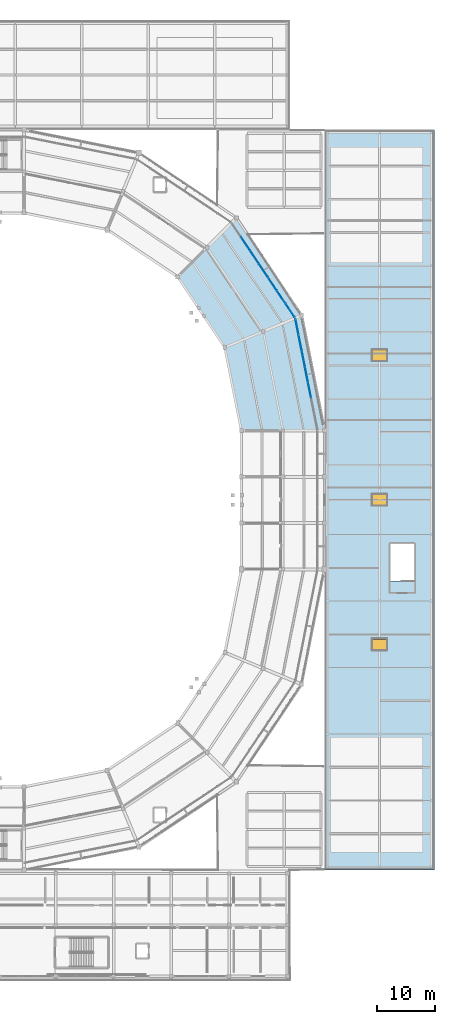
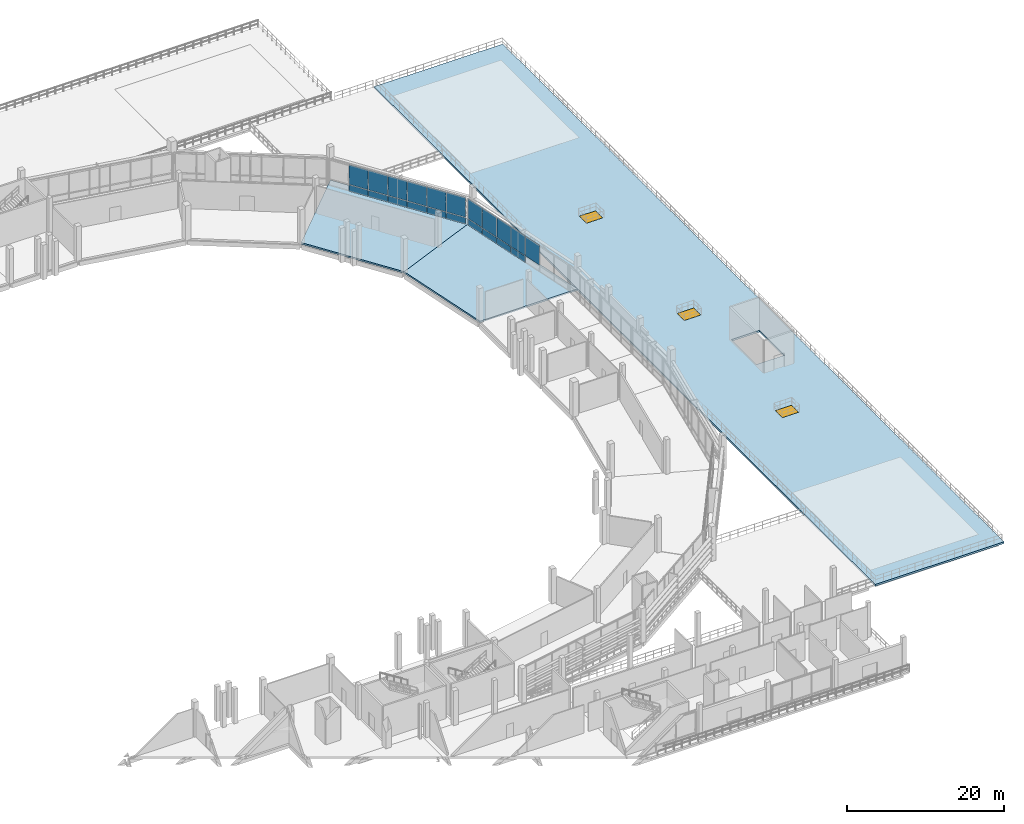
# One storey, part 65 of 111: 21 plates, 3 slabs, 3 windows, 3 openings, 2 elements without a shape of their own.
"""IFC4 building model written with IfcOpenShell, lengths in metres."""

from ifc_helpers import new_model, si_unit, direction, frame, origin, origin_2d, place, context, subcontext, project, spatial, polyline, rectangle, outline, extrude, material, layer, layer_set, type_object, element, fill, aggregate, save


model = new_model("IFC4")

# Units and contexts
model_context = context("Model", 3, precision=1e-05, world=origin(), true_north=direction((0.0, 1.0)))
body_context = subcontext(model_context, "Body", "Model", "MODEL_VIEW")
ifc_project = project(units=[si_unit("LENGTHUNIT", "METRE"), si_unit("AREAUNIT", "SQUARE_METRE"), si_unit("VOLUMEUNIT", "CUBIC_METRE"), si_unit("PLANEANGLEUNIT", "RADIAN"), si_unit("MASSUNIT", "GRAM", prefix="KILO")], contexts=[model_context])

# Site, building, storey
site_placement = place(None, origin())
site = spatial("IfcSite", under=ifc_project, at=site_placement, CompositionType="ELEMENT")
building_placement = place(site_placement, origin())
building = spatial("IfcBuilding", under=site, at=building_placement, Name="Candeia Ridge Stadium", CompositionType="ELEMENT")
storey_placement = place(building_placement, frame((0.0, 0.0, 16.199951171875)))
storey = spatial("IfcBuildingStorey", under=building, at=storey_placement, Name="L03", CompositionType="ELEMENT", Elevation=16.199951171875)

# Slabs
ifc_material_1 = material(Name="Concrete C40/50", Category="concrete")
ifc_layer_1 = layer(ifc_material_1, 0.25, Name="Concrete C40/50", Category="concrete")
ifc_layer_set_1 = layer_set([ifc_layer_1], Name="Concrete C40/50")
slab_type_1 = type_object("IfcSlabType", Name="Hospitality & Museum Slab 250", PredefinedType="FLOOR", material=ifc_layer_set_1)
slab_1_placement = place(storey_placement, frame((0.0, 0.0, -0.25)))
element("IfcSlab", 1, at=slab_1_placement, inside=storey, type_object=slab_type_1, Name="Bowl concourse sector slab L03 bay 33 SLB-L03-0141", PredefinedType="FLOOR", context=body_context, shape_type="SweptSolid", body=[
    extrude(outline(polyline([(175.73779296875, 109.388916015625), (189.041748046875, 114.8994140625), (193.0, 95.0), (178.60009765625, 95.0), (175.73779296875, 109.388916015625)])), origin(), (0.0, 0.0, 1.0), 0.25),
])
slab_2_placement = place(storey_placement, frame((0.0, 0.0, -0.25)))
element("IfcSlab", 2, at=slab_2_placement, inside=storey, type_object=slab_type_1, Name="Bowl concourse sector slab L03 bay 34 SLB-L03-0142", PredefinedType="FLOOR", context=body_context, shape_type="SweptSolid", body=[
    extrude(outline(polyline([(167.587158203125, 121.587158203125), (177.76953125, 131.76953125), (189.041748046875, 114.8994140625), (175.73779296875, 109.388916015625), (167.587158203125, 121.587158203125)])), origin(), (0.0, 0.0, 1.0), 0.25),
])

# Curtain wall, plates
ifc_material_2 = material(Name="Aluminium Anodized Warm Bronze", Category="aluminium")
curtain_wall_type = type_object("IfcCurtainWallType", Name="Concourse Recessed Unitised Curtain Wall", PredefinedType="NOTDEFINED", material=ifc_material_2)
curtain_wall_1_placement = place(storey_placement, origin())
curtain_wall_1 = element("IfcCurtainWall", 3, at=curtain_wall_1_placement, inside=storey, type_object=curtain_wall_type, Name="Unitised curtain wall CW-BWL-L03-33", PredefinedType="NOTDEFINED")
ifc_material_3 = material(Name="Aluminium Insulated Spandrel", Category="aluminium")
ifc_layer_2 = layer(ifc_material_3, 0.06494140625, Name="Aluminium Insulated Spandrel", Category="aluminium")
ifc_layer_set_2 = layer_set([ifc_layer_2], Name="Aluminium Insulated Spandrel")
plate_type_1 = type_object("IfcPlateType", Name="Insulated Bronze Spandrel Panel SP1", PredefinedType="CURTAIN_PANEL", material=ifc_layer_set_2)
plate_1_placement = place(storey_placement, frame((187.060791015625, 115.745849609375, 0.0400390625), z_axis=(0.0, 0.0, 1.0), x_axis=(-0.555571447533, 0.831468800789, 0.0)))
plate_1 = element("IfcPlate", 4, at=plate_1_placement, type_object=plate_type_1, Name="Curtain wall spandrel panel CW-BWL-L03-33-SP0", PredefinedType="CURTAIN_PANEL", context=body_context, shape_type="SweptSolid", body=[
    extrude(rectangle(XDim=2.710205078125, YDim=0.06494140625, at=origin_2d()), origin(), (0.0, 0.0, 1.0), 0.97119140625),
])
plate_2_placement = place(storey_placement, frame((185.51611328125, 118.057373046875, 0.0400390625), z_axis=(0.0, 0.0, 1.0), x_axis=(-0.555571447533, 0.831468800789, 0.0)))
plate_2 = element("IfcPlate", 5, at=plate_2_placement, type_object=plate_type_1, Name="Curtain wall spandrel panel CW-BWL-L03-33-SP1", PredefinedType="CURTAIN_PANEL", context=body_context, shape_type="SweptSolid", body=[
    extrude(rectangle(XDim=2.710205078125, YDim=0.06494140625, at=origin_2d()), origin(), (0.0, 0.0, 1.0), 0.97119140625),
])
plate_3_placement = place(storey_placement, frame((183.9716796875, 120.369140625, 0.0400390625), z_axis=(0.0, 0.0, 1.0), x_axis=(-0.555571447533, 0.831468800789, 0.0)))
plate_3 = element("IfcPlate", 6, at=plate_3_placement, type_object=plate_type_1, Name="Curtain wall spandrel panel CW-BWL-L03-33-SP2", PredefinedType="CURTAIN_PANEL", context=body_context, shape_type="SweptSolid", body=[
    extrude(rectangle(XDim=2.710205078125, YDim=0.06494140625, at=origin_2d()), origin(), (0.0, 0.0, 1.0), 0.97119140625),
])
plate_4_placement = place(storey_placement, frame((182.427001953125, 122.6806640625, 0.0400390625), z_axis=(0.0, 0.0, 1.0), x_axis=(-0.555571447533, 0.831468800789, 0.0)))
plate_4 = element("IfcPlate", 7, at=plate_4_placement, type_object=plate_type_1, Name="Curtain wall spandrel panel CW-BWL-L03-33-SP3", PredefinedType="CURTAIN_PANEL", context=body_context, shape_type="SweptSolid", body=[
    extrude(rectangle(XDim=2.710205078125, YDim=0.06494140625, at=origin_2d()), origin(), (0.0, 0.0, 1.0), 0.97119140625),
])
plate_5_placement = place(storey_placement, frame((180.882568359375, 124.9921875, 0.0400390625), z_axis=(0.0, 0.0, 1.0), x_axis=(-0.555571447533, 0.831468800789, 0.0)))
plate_5 = element("IfcPlate", 8, at=plate_5_placement, type_object=plate_type_1, Name="Curtain wall spandrel panel CW-BWL-L03-33-SP4", PredefinedType="CURTAIN_PANEL", context=body_context, shape_type="SweptSolid", body=[
    extrude(rectangle(XDim=2.710205078125, YDim=0.06494140625, at=origin_2d()), origin(), (0.0, 0.0, 1.0), 0.97119140625),
])
plate_6_placement = place(storey_placement, frame((179.337890625, 127.303955078125, 0.0400390625), z_axis=(0.0, 0.0, 1.0), x_axis=(-0.555571447533, 0.831468800789, 0.0)))
plate_6 = element("IfcPlate", 9, at=plate_6_placement, type_object=plate_type_1, Name="Curtain wall spandrel panel CW-BWL-L03-33-SP5", PredefinedType="CURTAIN_PANEL", context=body_context, shape_type="SweptSolid", body=[
    extrude(rectangle(XDim=2.710205078125, YDim=0.06494140625, at=origin_2d()), origin(), (0.0, 0.0, 1.0), 0.97119140625),
])

curtain_wall_2_placement = place(storey_placement, origin())
curtain_wall_2 = element("IfcCurtainWall", 10, at=curtain_wall_2_placement, inside=storey, type_object=curtain_wall_type, Name="Unitised curtain wall CW-BWL-L03-32", PredefinedType="NOTDEFINED")
ifc_layer_3 = layer(ifc_material_3, 0.06494140625, Name="Aluminium Insulated Spandrel", Category="aluminium")
ifc_layer_set_3 = layer_set([ifc_layer_3], Name="Aluminium Insulated Spandrel")
plate_type_2 = type_object("IfcPlateType", Name="Insulated Bronze Spandrel Panel SP5", PredefinedType="CURTAIN_PANEL", material=ifc_layer_set_3)
plate_7_placement = place(storey_placement, frame((189.86669921875, 104.72021484375, 0.0400390625), z_axis=(0.0, 0.0, 1.0), x_axis=(-0.195090320544, 0.980785280696, 0.0)))
plate_7 = element("IfcPlate", 11, at=plate_7_placement, type_object=plate_type_2, Name="Curtain wall spandrel panel CW-BWL-L03-32-SP3", PredefinedType="CURTAIN_PANEL", context=body_context, shape_type="SweptSolid", body=[
    extrude(rectangle(XDim=2.710205078125, YDim=0.06494140625, at=origin_2d()), origin(), (0.0, 0.0, 1.0), 0.97119140625),
])
plate_8_placement = place(storey_placement, frame((189.32421875, 107.447021484375, 0.0400390625), z_axis=(0.0, 0.0, 1.0), x_axis=(-0.195090320544, 0.980785280696, 0.0)))
plate_8 = element("IfcPlate", 12, at=plate_8_placement, type_object=plate_type_2, Name="Curtain wall spandrel panel CW-BWL-L03-32-SP4", PredefinedType="CURTAIN_PANEL", context=body_context, shape_type="SweptSolid", body=[
    extrude(rectangle(XDim=2.710205078125, YDim=0.06494140625, at=origin_2d()), origin(), (0.0, 0.0, 1.0), 0.97119140625),
])
plate_9_placement = place(storey_placement, frame((188.78173828125, 110.173583984375, 0.0400390625), z_axis=(0.0, 0.0, 1.0), x_axis=(-0.195090320544, 0.980785280696, 0.0)))
plate_9 = element("IfcPlate", 13, at=plate_9_placement, type_object=plate_type_2, Name="Curtain wall spandrel panel CW-BWL-L03-32-SP5", PredefinedType="CURTAIN_PANEL", context=body_context, shape_type="SweptSolid", body=[
    extrude(rectangle(XDim=2.710205078125, YDim=0.06494140625, at=origin_2d()), origin(), (0.0, 0.0, 1.0), 0.97119140625),
])
plate_10_placement = place(storey_placement, frame((188.239501953125, 112.900390625, 0.0400390625), z_axis=(0.0, 0.0, 1.0), x_axis=(-0.195090320544, 0.980785280696, 0.0)))
plate_10 = element("IfcPlate", 14, at=plate_10_placement, type_object=plate_type_2, Name="Curtain wall spandrel panel CW-BWL-L03-32-SP6", PredefinedType="CURTAIN_PANEL", context=body_context, shape_type="SweptSolid", body=[
    extrude(rectangle(XDim=2.710205078125, YDim=0.06494140625, at=origin_2d()), origin(), (0.0, 0.0, 1.0), 0.97119140625),
])

# Slab, openings, windows
ifc_layer_4 = layer(ifc_material_1, 0.280029296875, Name="Concrete C40/50", Category="concrete")
ifc_layer_set_4 = layer_set([ifc_layer_4], Name="Concrete C40/50")
slab_type_2 = type_object("IfcSlabType", Name="Planted Roof Garden Deck 280", PredefinedType="ROOF", material=ifc_layer_set_4)
slab_3_placement = place(storey_placement, frame((0.0, 0.0, -0.280029296875)))
slab_3 = element("IfcSlab", 15, at=slab_3_placement, inside=storey, type_object=slab_type_2, Name="Planted roof garden slab SLB-L03-0290", PredefinedType="ROOF", context=body_context, shape_type="SweptSolid", body=[
    extrude(outline(polyline([(193.0, 19.0), (193.0, 147.0), (212.0, 147.0), (212.0, 19.0), (193.0, 19.0)]), holes=[polyline([(208.5, 69.00048828125), (208.5, 75.39990234375), (204.35009765625, 75.39990234375), (204.35009765625, 69.00048828125), (208.5, 69.00048828125)])]), origin(), (0.0, 0.0, 1.0), 0.280029296875),
])
opening_1_placement = place(slab_3_placement, frame((202.5, 58.0, -0.010009765625)))
opening_1 = element("IfcOpeningElement", 16, at=opening_1_placement, cuts=slab_3, Name="Opening SK1", PredefinedType="OPENING", context=body_context, shape_type="SweptSolid", body=[
    extrude(rectangle(XDim=2.39990234375, YDim=1.800048828125, at=origin_2d()), origin(), (0.0, 0.0, 1.0), 0.300048828125),
])
opening_2_placement = place(slab_3_placement, frame((202.5, 83.0, -0.010009765625)))
opening_2 = element("IfcOpeningElement", 17, at=opening_2_placement, cuts=slab_3, Name="Opening SK1", PredefinedType="OPENING", context=body_context, shape_type="SweptSolid", body=[
    extrude(rectangle(XDim=2.39990234375, YDim=1.800048828125, at=origin_2d()), origin(), (0.0, 0.0, 1.0), 0.300048828125),
])
opening_3_placement = place(slab_3_placement, frame((202.5, 108.0, -0.010009765625)))
opening_3 = element("IfcOpeningElement", 18, at=opening_3_placement, cuts=slab_3, Name="Opening SK1", PredefinedType="OPENING", context=body_context, shape_type="SweptSolid", body=[
    extrude(rectangle(XDim=2.39990234375, YDim=1.800048828125, at=origin_2d()), origin(), (0.0, 0.0, 1.0), 0.300048828125),
])
ifc_material_4 = material(Name="Tempered Solar-Control Double Glazing", Category="glass")
window_type = type_object("IfcWindowType", Name="Warm-Up Hall Roof Skylight 2400x1800", PartitioningType="SINGLE_PANEL", PredefinedType="SKYLIGHT", material=ifc_material_4)
window_1_placement = place(slab_3_placement, frame((202.5, 58.0, 0.22998046875)))
window_1 = element("IfcWindow", 19, at=window_1_placement, inside=storey, type_object=window_type, Name="Roof daylight skylight SKY-01", OverallHeight=1.800048828125, OverallWidth=2.39990234375, PartitioningType="SINGLE_PANEL", PredefinedType="SKYLIGHT", context=body_context, shape_type="SweptSolid", body=[
    extrude(rectangle(XDim=2.39990234375, YDim=1.800048828125, at=origin_2d()), origin(), (0.0, 0.0, 1.0), 0.050048828125),
])
fill(opening_1, window_1)
window_2_placement = place(slab_3_placement, frame((202.5, 83.0, 0.22998046875)))
window_2 = element("IfcWindow", 20, at=window_2_placement, inside=storey, type_object=window_type, Name="Roof daylight skylight SKY-02", OverallHeight=1.800048828125, OverallWidth=2.39990234375, PartitioningType="SINGLE_PANEL", PredefinedType="SKYLIGHT", context=body_context, shape_type="SweptSolid", body=[
    extrude(rectangle(XDim=2.39990234375, YDim=1.800048828125, at=origin_2d()), origin(), (0.0, 0.0, 1.0), 0.050048828125),
])
fill(opening_2, window_2)
window_3_placement = place(slab_3_placement, frame((202.5, 108.0, 0.22998046875)))
window_3 = element("IfcWindow", 21, at=window_3_placement, inside=storey, type_object=window_type, Name="Roof daylight skylight SKY-03", OverallHeight=1.800048828125, OverallWidth=2.39990234375, PartitioningType="SINGLE_PANEL", PredefinedType="SKYLIGHT", context=body_context, shape_type="SweptSolid", body=[
    extrude(rectangle(XDim=2.39990234375, YDim=1.800048828125, at=origin_2d()), origin(), (0.0, 0.0, 1.0), 0.050048828125),
])
fill(opening_3, window_3)

# Plate
ifc_material_5 = material(Name="Tempered Low-E Double Glazing", Category="glass")
ifc_layer_5 = layer(ifc_material_5, 0.035888671875, Name="Tempered Low-E Double Glazing", Category="glass")
ifc_layer_set_5 = layer_set([ifc_layer_5], Name="Tempered Low-E Double Glazing")
plate_type_3 = type_object("IfcPlateType", Name="Solar Control Vision Glass Panel GP1", PredefinedType="CURTAIN_PANEL", material=ifc_layer_set_5)
plate_11_placement = place(storey_placement, frame((187.060791015625, 115.745849609375, 1.09130859375), z_axis=(0.0, 0.0, 1.0), x_axis=(-0.555571447533, 0.831468800789, 0.0)))
plate_11 = element("IfcPlate", 22, at=plate_11_placement, type_object=plate_type_3, Name="Curtain wall vision glass panel CW-BWL-L03-33-GP0", PredefinedType="CURTAIN_PANEL", context=body_context, shape_type="SweptSolid", body=[
    extrude(rectangle(XDim=2.710205078125, YDim=0.035888671875, at=origin_2d()), origin(), (0.0, 0.0, 1.0), 3.07373046875),
])

plate_12_placement = place(storey_placement, frame((185.51611328125, 118.057373046875, 1.09130859375), z_axis=(0.0, 0.0, 1.0), x_axis=(-0.555571447533, 0.831468800789, 0.0)))
plate_12 = element("IfcPlate", 23, at=plate_12_placement, type_object=plate_type_3, Name="Curtain wall vision glass panel CW-BWL-L03-33-GP1", PredefinedType="CURTAIN_PANEL", context=body_context, shape_type="SweptSolid", body=[
    extrude(rectangle(XDim=2.710205078125, YDim=0.035888671875, at=origin_2d()), origin(), (0.0, 0.0, 1.0), 3.07373046875),
])

plate_13_placement = place(storey_placement, frame((183.9716796875, 120.369140625, 1.09130859375), z_axis=(0.0, 0.0, 1.0), x_axis=(-0.555571447533, 0.831468800789, 0.0)))
plate_13 = element("IfcPlate", 24, at=plate_13_placement, type_object=plate_type_3, Name="Curtain wall vision glass panel CW-BWL-L03-33-GP2", PredefinedType="CURTAIN_PANEL", context=body_context, shape_type="SweptSolid", body=[
    extrude(rectangle(XDim=2.710205078125, YDim=0.035888671875, at=origin_2d()), origin(), (0.0, 0.0, 1.0), 3.07373046875),
])

plate_14_placement = place(storey_placement, frame((182.427001953125, 122.6806640625, 1.09130859375), z_axis=(0.0, 0.0, 1.0), x_axis=(-0.555571447533, 0.831468800789, 0.0)))
plate_14 = element("IfcPlate", 25, at=plate_14_placement, type_object=plate_type_3, Name="Curtain wall vision glass panel CW-BWL-L03-33-GP3", PredefinedType="CURTAIN_PANEL", context=body_context, shape_type="SweptSolid", body=[
    extrude(rectangle(XDim=2.710205078125, YDim=0.035888671875, at=origin_2d()), origin(), (0.0, 0.0, 1.0), 3.07373046875),
])

plate_15_placement = place(storey_placement, frame((180.882568359375, 124.9921875, 1.09130859375), z_axis=(0.0, 0.0, 1.0), x_axis=(-0.555571447533, 0.831468800789, 0.0)))
plate_15 = element("IfcPlate", 26, at=plate_15_placement, type_object=plate_type_3, Name="Curtain wall vision glass panel CW-BWL-L03-33-GP4", PredefinedType="CURTAIN_PANEL", context=body_context, shape_type="SweptSolid", body=[
    extrude(rectangle(XDim=2.710205078125, YDim=0.035888671875, at=origin_2d()), origin(), (0.0, 0.0, 1.0), 3.07373046875),
])

plate_16_placement = place(storey_placement, frame((179.337890625, 127.303955078125, 1.09130859375), z_axis=(0.0, 0.0, 1.0), x_axis=(-0.555571447533, 0.831468800789, 0.0)))
plate_16 = element("IfcPlate", 27, at=plate_16_placement, type_object=plate_type_3, Name="Curtain wall vision glass panel CW-BWL-L03-33-GP5", PredefinedType="CURTAIN_PANEL", context=body_context, shape_type="SweptSolid", body=[
    extrude(rectangle(XDim=2.710205078125, YDim=0.035888671875, at=origin_2d()), origin(), (0.0, 0.0, 1.0), 3.07373046875),
])

aggregate(curtain_wall_1, [plate_1, plate_11, plate_2, plate_12, plate_3, plate_13, plate_4, plate_14, plate_5, plate_15, plate_6, plate_16])

ifc_layer_6 = layer(ifc_material_5, 0.035888671875, Name="Tempered Low-E Double Glazing", Category="glass")
ifc_layer_set_6 = layer_set([ifc_layer_6], Name="Tempered Low-E Double Glazing")
plate_type_4 = type_object("IfcPlateType", Name="Solar Control Vision Glass Panel GP8", PredefinedType="CURTAIN_PANEL", material=ifc_layer_set_6)
plate_17_placement = place(storey_placement, frame((190.408935546875, 101.993408203125, 1.09130859375), z_axis=(0.0, 0.0, 1.0), x_axis=(-0.195090320544, 0.980785280696, 0.0)))
plate_17 = element("IfcPlate", 28, at=plate_17_placement, type_object=plate_type_4, Name="Curtain wall vision glass panel CW-BWL-L03-32-GP2", PredefinedType="CURTAIN_PANEL", context=body_context, shape_type="SweptSolid", body=[
    extrude(rectangle(XDim=2.710205078125, YDim=0.035888671875, at=origin_2d()), origin(), (0.0, 0.0, 1.0), 3.07373046875),
])

plate_18_placement = place(storey_placement, frame((189.86669921875, 104.72021484375, 1.09130859375), z_axis=(0.0, 0.0, 1.0), x_axis=(-0.195090320544, 0.980785280696, 0.0)))
plate_18 = element("IfcPlate", 29, at=plate_18_placement, type_object=plate_type_4, Name="Curtain wall vision glass panel CW-BWL-L03-32-GP3", PredefinedType="CURTAIN_PANEL", context=body_context, shape_type="SweptSolid", body=[
    extrude(rectangle(XDim=2.710205078125, YDim=0.035888671875, at=origin_2d()), origin(), (0.0, 0.0, 1.0), 3.07373046875),
])

plate_19_placement = place(storey_placement, frame((189.32421875, 107.447021484375, 1.09130859375), z_axis=(0.0, 0.0, 1.0), x_axis=(-0.195090320544, 0.980785280696, 0.0)))
plate_19 = element("IfcPlate", 30, at=plate_19_placement, type_object=plate_type_4, Name="Curtain wall vision glass panel CW-BWL-L03-32-GP4", PredefinedType="CURTAIN_PANEL", context=body_context, shape_type="SweptSolid", body=[
    extrude(rectangle(XDim=2.710205078125, YDim=0.035888671875, at=origin_2d()), origin(), (0.0, 0.0, 1.0), 3.07373046875),
])

plate_20_placement = place(storey_placement, frame((188.78173828125, 110.173583984375, 1.09130859375), z_axis=(0.0, 0.0, 1.0), x_axis=(-0.195090320544, 0.980785280696, 0.0)))
plate_20 = element("IfcPlate", 31, at=plate_20_placement, type_object=plate_type_4, Name="Curtain wall vision glass panel CW-BWL-L03-32-GP5", PredefinedType="CURTAIN_PANEL", context=body_context, shape_type="SweptSolid", body=[
    extrude(rectangle(XDim=2.710205078125, YDim=0.035888671875, at=origin_2d()), origin(), (0.0, 0.0, 1.0), 3.07373046875),
])

plate_21_placement = place(storey_placement, frame((188.239501953125, 112.900390625, 1.09130859375), z_axis=(0.0, 0.0, 1.0), x_axis=(-0.195090320544, 0.980785280696, 0.0)))
plate_21 = element("IfcPlate", 32, at=plate_21_placement, type_object=plate_type_4, Name="Curtain wall vision glass panel CW-BWL-L03-32-GP6", PredefinedType="CURTAIN_PANEL", context=body_context, shape_type="SweptSolid", body=[
    extrude(rectangle(XDim=2.710205078125, YDim=0.035888671875, at=origin_2d()), origin(), (0.0, 0.0, 1.0), 3.07373046875),
])

aggregate(curtain_wall_2, [plate_17, plate_7, plate_18, plate_8, plate_19, plate_9, plate_20, plate_10, plate_21])

save(model, "model.ifc")
